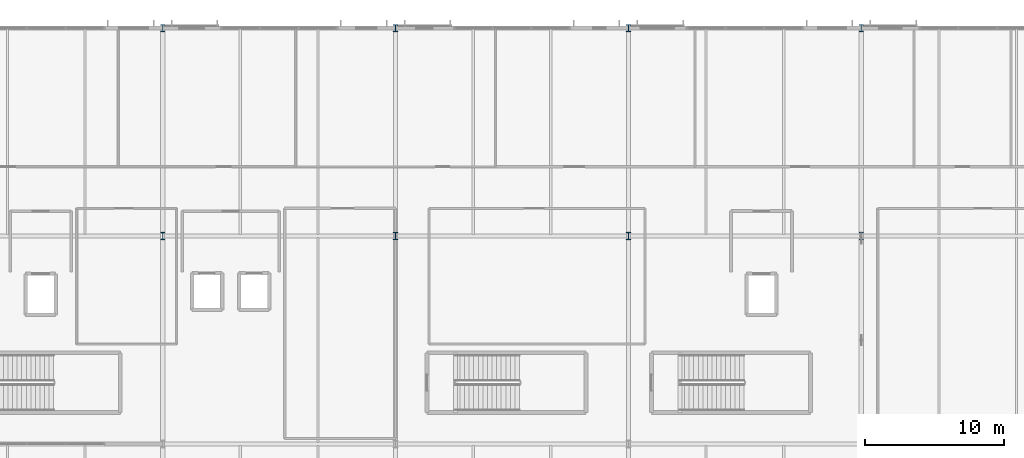
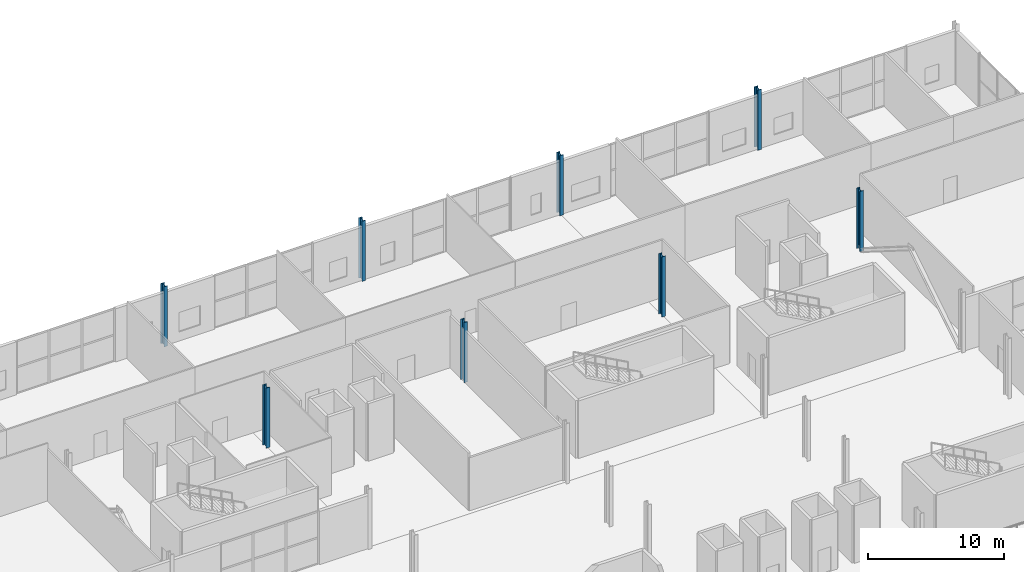
# One storey, part 8 of 84: 8 columns.
"""IFC4 building model written with IfcOpenShell, lengths in metres."""

from ifc_helpers import new_model, si_unit, direction, frame, origin, origin_2d, place, context, subcontext, project, spatial, i_section, extrude, material, material_profile, profile_set, type_object, element, save


model = new_model("IFC4")

# Units and contexts
model_context = context("Model", 3, precision=1e-05, world=origin(), true_north=direction((0.0, 1.0)))
body_context = subcontext(model_context, "Body", "Model", "MODEL_VIEW")
ifc_project = project(units=[si_unit("LENGTHUNIT", "METRE"), si_unit("AREAUNIT", "SQUARE_METRE"), si_unit("VOLUMEUNIT", "CUBIC_METRE"), si_unit("PLANEANGLEUNIT", "RADIAN"), si_unit("MASSUNIT", "GRAM", prefix="KILO")], contexts=[model_context])

# Site, building, storey
site_placement = place(None, origin())
site = spatial("IfcSite", under=ifc_project, at=site_placement, CompositionType="ELEMENT")
building_placement = place(site_placement, origin())
building = spatial("IfcBuilding", under=site, at=building_placement, Name="Kimbaza Rail Terminus", CompositionType="ELEMENT")
storey_placement = place(building_placement, frame((0.0, 0.0, 5.39990234375)))
storey = spatial("IfcBuildingStorey", under=building, at=storey_placement, Name="L01", CompositionType="ELEMENT", Elevation=5.39990234375)

# Columns
ifc_material = material(Name="Steel S355", Category="steel")
ifc_material_profile = material_profile(ifc_material, i_section(OverallWidth=0.305908203125, OverallDepth=0.52392578125, WebThickness=0.02099609375, FlangeThickness=0.0400390625, FilletRadius=0.027099609375, at=origin_2d()), Name="HEM 500")
ifc_profile_set = profile_set([ifc_material_profile], Name="Steel S355")
column_type = type_object("IfcColumnType", Name="STR-COL-HEM500", PredefinedType="COLUMN", material=ifc_profile_set)
for number, where, z_axis, x_axis, name in (
    (1, (88.800048828125, 118.0, 0.0), (0.0, 0.0, 1.0), (1.0, 0.0, 0.0), "Operations Column L01 (2,1)"),
    (2, (88.800048828125, 133.0, 0.0), (0.0, 0.0, 1.0), (1.0, 0.0, 0.0), "Operations Column L01 (2,2)"),
    (3, (105.60009765625, 118.0, 0.0), (0.0, 0.0, 1.0), (1.0, 0.0, 0.0), "Operations Column L01 (3,1)"),
    (4, (105.60009765625, 133.0, 0.0), (0.0, 0.0, 1.0), (1.0, 0.0, 0.0), "Operations Column L01 (3,2)"),
    (5, (122.39990234375, 118.0, 0.0), (0.0, 0.0, 1.0), (1.0, 0.0, 0.0), "Operations Column L01 (4,1)"),
    (6, (122.39990234375, 133.0, 0.0), (0.0, 0.0, 1.0), (1.0, 0.0, 0.0), "Operations Column L01 (4,2)"),
    (7, (139.199951171875, 118.0, 0.0), (0.0, 0.0, 1.0), (1.0, 0.0, 0.0), "Operations Column L01 (5,1)"),
    (8, (139.199951171875, 133.0, 0.0), (0.0, 0.0, 1.0), (1.0, 0.0, 0.0), "Operations Column L01 (5,2)"),
):
    element("IfcColumn", number, at=place(storey_placement, frame(where, z_axis=z_axis, x_axis=x_axis)), inside=storey, type_object=column_type, Name=name, PredefinedType="COLUMN", context=body_context, shape_type="SweptSolid", body=[
        extrude(i_section(OverallWidth=0.305908203125, OverallDepth=0.52392578125, WebThickness=0.02099609375, FlangeThickness=0.0400390625, FilletRadius=0.027099609375, at=origin_2d()), origin(), (0.0, 0.0, 1.0), 5.400146484375),
    ])

save(model, "model.ifc")
